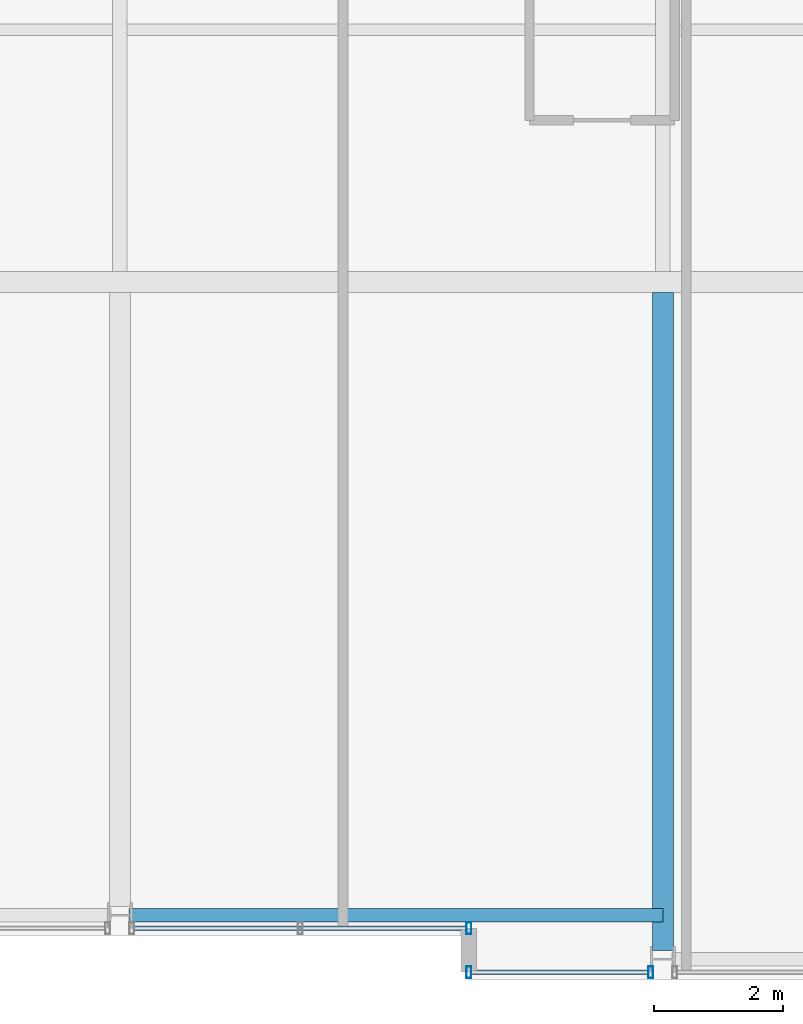
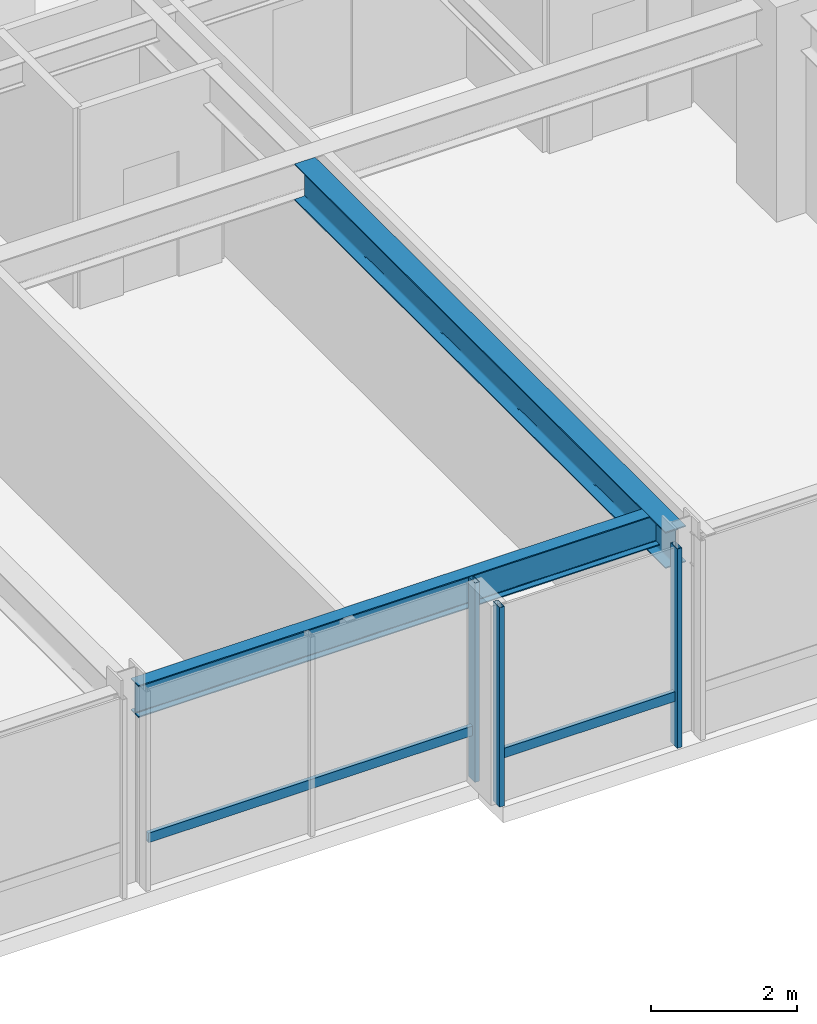
# One storey, part 6 of 31: 5 members, 2 beams, 2 elements without a shape of their own.
"""IFC4 building model written with IfcOpenShell, lengths in metres."""

from ifc_helpers import new_model, si_unit, direction, frame, origin, origin_2d, place, context, subcontext, project, spatial, hollow_rectangle, i_section, extrude, material, layer, layer_set, material_profile, profile_set, type_object, element, aggregate, save


model = new_model("IFC4")

# Units and contexts
model_context = context("Model", 3, precision=1e-05, world=origin(), true_north=direction((0.0, 1.0)))
body_context = subcontext(model_context, "Body", "Model", "MODEL_VIEW")
ifc_project = project(units=[si_unit("LENGTHUNIT", "METRE"), si_unit("AREAUNIT", "SQUARE_METRE"), si_unit("VOLUMEUNIT", "CUBIC_METRE"), si_unit("PLANEANGLEUNIT", "RADIAN"), si_unit("MASSUNIT", "GRAM", prefix="KILO")], contexts=[model_context])

# Site, building, storey
site_placement = place(None, origin())
site = spatial("IfcSite", under=ifc_project, at=site_placement, CompositionType="ELEMENT")
building_placement = place(site_placement, origin())
building = spatial("IfcBuilding", under=site, at=building_placement, Name="Drelvath Grand Hotel", CompositionType="ELEMENT")
storey_placement = place(building_placement, frame((0.0, 0.0, 230.300048828125)))
storey = spatial("IfcBuildingStorey", under=building, at=storey_placement, Name="L60", CompositionType="ELEMENT", Elevation=230.300048828125)

# Curtain wall, member
ifc_material_1 = material(Name="Platinum-Mist Anodised Aluminium Frame", Category="aluminium")
ifc_layer = layer(ifc_material_1, 0.199951171875)
ifc_layer_set = layer_set([ifc_layer], Name="Platinum-Mist Anodised Aluminium Frame")
curtain_wall_type = type_object("IfcCurtainWallType", Name="Stick Curtain Wall CW-05 Platinum Mist High-Rise", PredefinedType="NOTDEFINED", material=ifc_layer_set)
curtain_wall_1_placement = place(storey_placement, origin())
curtain_wall_1 = element("IfcCurtainWall", 1, at=curtain_wall_1_placement, inside=storey, type_object=curtain_wall_type, Name="L60 CW-05 Curtain Wall CW05-L60-SE1", PredefinedType="NOTDEFINED")
ifc_material_profile_1 = material_profile(ifc_material_1, hollow_rectangle(XDim=0.06494140625, YDim=0.159912109375, WallThickness=0.00390625, at=origin_2d()), Name="HSS160X65X4")
ifc_profile_set_1 = profile_set([ifc_material_profile_1], Name="Platinum-Mist Anodised Aluminium Frame")
member_type_1 = type_object("IfcMemberType", Name="Curtain Wall Horizontal Transom CW-05 HSS160X65X4", PredefinedType="USERDEFINED", material=ifc_profile_set_1)
member_1_placement = place(storey_placement, frame((8.1748046875, 0.1201171875, 0.8349609375), z_axis=(-1.0, 0.0, 0.0), x_axis=(0.0, -1.0, 0.0)))
member_1 = element("IfcMember", 2, at=member_1_placement, type_object=member_type_1, Name="CW05-L60-SE1 Sill Transom", ObjectType="TRANSOM", PredefinedType="USERDEFINED", context=body_context, shape_type="SweptSolid", body=[
    extrude(hollow_rectangle(XDim=0.06494140625, YDim=0.159912109375, WallThickness=0.00390625, at=origin_2d()), origin(), (0.0, 0.0, 1.0), 2.73486328125),
])

curtain_wall_2_placement = place(storey_placement, origin())
curtain_wall_2 = element("IfcCurtainWall", 3, at=curtain_wall_2_placement, inside=storey, type_object=curtain_wall_type, Name="L60 CW-05 Curtain Wall CW05-L60-SM2", PredefinedType="NOTDEFINED")
member_2_placement = place(storey_placement, frame((5.360107421875, 0.800048828125, 0.8349609375), z_axis=(-1.0, 0.0, 0.0), x_axis=(0.0, -1.0, 0.0)))
member_2 = element("IfcMember", 4, at=member_2_placement, type_object=member_type_1, Name="CW05-L60-SM2 Sill Transom", ObjectType="TRANSOM", PredefinedType="USERDEFINED", context=body_context, shape_type="SweptSolid", body=[
    extrude(hollow_rectangle(XDim=0.06494140625, YDim=0.159912109375, WallThickness=0.00390625, at=origin_2d()), origin(), (0.0, 0.0, 1.0), 5.134765625),
])

# Member
ifc_material_profile_2 = material_profile(ifc_material_1, hollow_rectangle(XDim=0.074951171875, YDim=0.179931640625, WallThickness=0.0048828125, at=origin_2d()), Name="HSS180X75X5")
ifc_profile_set_2 = profile_set([ifc_material_profile_2], Name="Platinum-Mist Anodised Aluminium Frame")
member_type_2 = type_object("IfcMemberType", Name="Curtain Wall Vertical Mullion CW-05 HSS180X75X5", PredefinedType="MULLION", material=ifc_profile_set_2)
member_3_placement = place(storey_placement, frame((8.214599609375, 0.1201171875, 0.0), z_axis=(0.0, 0.0, 1.0), x_axis=(1.0, 0.0, 0.0)))
member_3 = element("IfcMember", 5, at=member_3_placement, type_object=member_type_2, Name="CW05-L60-SE1 Mullion 1", PredefinedType="MULLION", context=body_context, shape_type="SweptSolid", body=[
    extrude(hollow_rectangle(XDim=0.074951171875, YDim=0.179931640625, WallThickness=0.0048828125, at=origin_2d()), origin(), (0.0, 0.0, 1.0), 3.33984375),
])

member_4_placement = place(storey_placement, frame((5.39990234375, 0.1201171875, 0.0), z_axis=(0.0, 0.0, 1.0), x_axis=(1.0, 0.0, 0.0)))
member_4 = element("IfcMember", 6, at=member_4_placement, type_object=member_type_2, Name="CW05-L60-SE1 Mullion 2", PredefinedType="MULLION", context=body_context, shape_type="SweptSolid", body=[
    extrude(hollow_rectangle(XDim=0.074951171875, YDim=0.179931640625, WallThickness=0.0048828125, at=origin_2d()), origin(), (0.0, 0.0, 1.0), 3.33984375),
])

aggregate(curtain_wall_1, [member_3, member_4, member_1])

member_5_placement = place(storey_placement, frame((5.39990234375, 0.800048828125, 0.0), z_axis=(0.0, 0.0, 1.0), x_axis=(1.0, 0.0, 0.0)))
member_5 = element("IfcMember", 7, at=member_5_placement, type_object=member_type_2, Name="CW05-L60-SM2 Mullion 1", PredefinedType="MULLION", context=body_context, shape_type="SweptSolid", body=[
    extrude(hollow_rectangle(XDim=0.074951171875, YDim=0.179931640625, WallThickness=0.0048828125, at=origin_2d()), origin(), (0.0, 0.0, 1.0), 3.33984375),
])

aggregate(curtain_wall_2, [member_5, member_2])

# Beams
ifc_material_2 = material(Name="Steel ASTM A992 Gr 50", Category="steel")
ifc_material_profile_3 = material_profile(ifc_material_2, i_section(OverallWidth=0.210205078125, OverallDepth=0.53662109375, WebThickness=0.010986328125, FlangeThickness=0.017333984375, FilletRadius=0.01806640625, at=origin_2d()), Name="W21X68")
ifc_profile_set_3 = profile_set([ifc_material_profile_3], Name="Steel ASTM A992 Gr 50")
beam_type_1 = type_object("IfcBeamType", Name="Perimeter Spandrel Beam W21X68", PredefinedType="SPANDREL", material=ifc_profile_set_3)
beam_1_placement = place(storey_placement, frame((0.139892578125, 1.0, 3.071533203125), z_axis=(1.0, 0.0, 0.0), x_axis=(0.0, 1.0, 0.0)))
element("IfcBeam", 8, at=beam_1_placement, inside=storey, type_object=beam_type_1, Name="L60 Spandrel South Mid E", PredefinedType="SPANDREL", context=body_context, shape_type="SweptSolid", body=[
    extrude(i_section(OverallWidth=0.210205078125, OverallDepth=0.53662109375, WebThickness=0.010986328125, FlangeThickness=0.017333984375, FilletRadius=0.01806640625, at=origin_2d()), origin(), (0.0, 0.0, 1.0), 8.260009765625),
])
ifc_material_profile_4 = material_profile(ifc_material_2, i_section(OverallWidth=0.323974609375, OverallDepth=0.611083984375, WebThickness=0.0126953125, FlangeThickness=0.01904296875, FilletRadius=0.02197265625, at=origin_2d()), Name="W24X104")
ifc_profile_set_4 = profile_set([ifc_material_profile_4], Name="Steel ASTM A992 Gr 50")
beam_type_2 = type_object("IfcBeamType", Name="Primary Floor Girder W24X104", PredefinedType="BEAM", material=ifc_profile_set_4)
beam_2_placement = place(storey_placement, frame((8.39990234375, 0.4599609375, 3.034423828125), z_axis=(0.0, 1.0, 0.0), x_axis=(-1.0, 0.0, 0.0)))
element("IfcBeam", 9, at=beam_2_placement, inside=storey, type_object=beam_type_2, Name="L60 South Wing Girder 6", PredefinedType="BEAM", context=body_context, shape_type="SweptSolid", body=[
    extrude(i_section(OverallWidth=0.323974609375, OverallDepth=0.611083984375, WebThickness=0.0126953125, FlangeThickness=0.01904296875, FilletRadius=0.02197265625, at=origin_2d()), origin(), (0.0, 0.0, 1.0), 10.177978515625),
])

save(model, "model.ifc")
